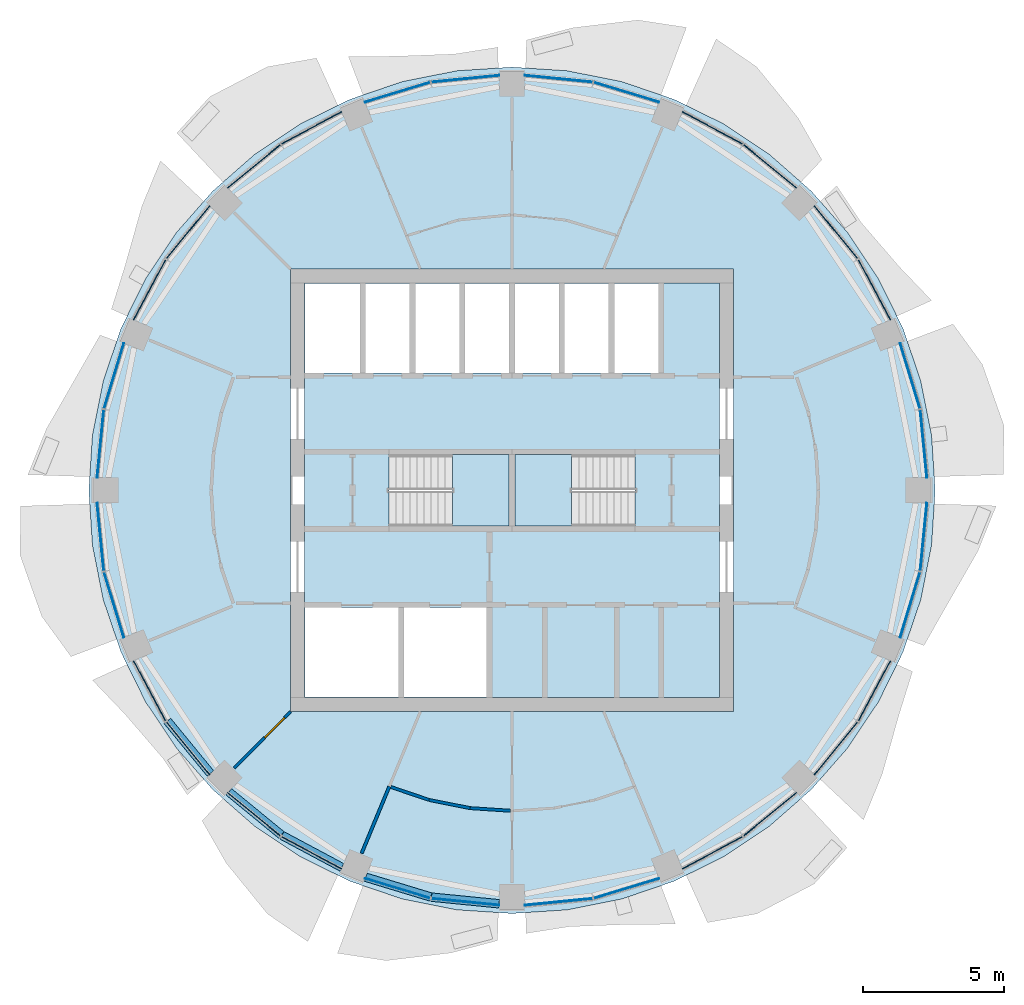
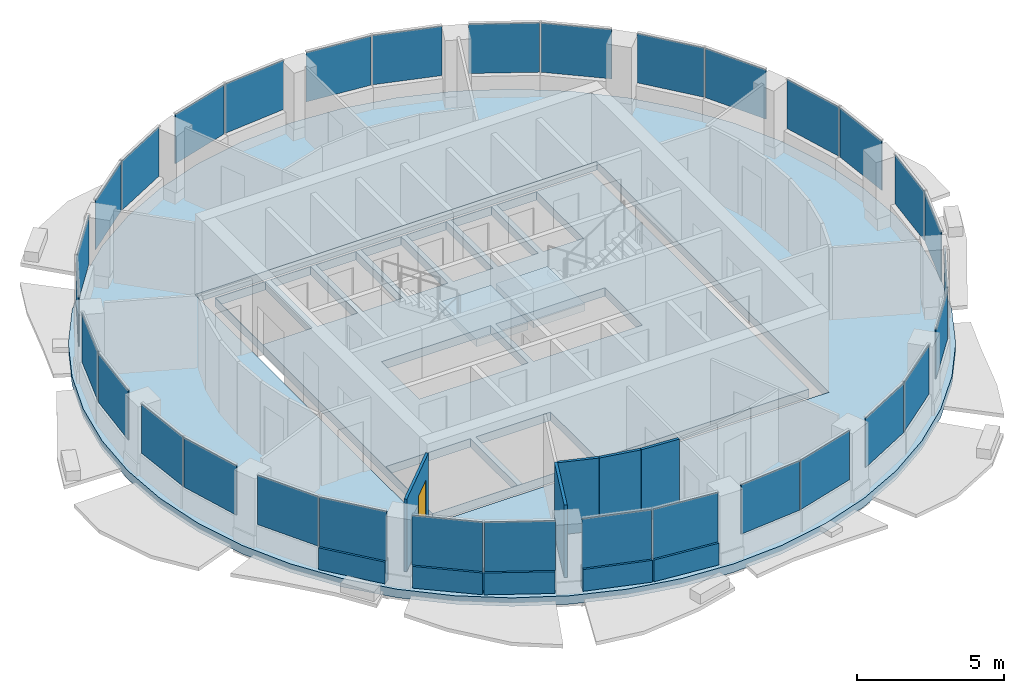
# One storey, part 6 of 14: 32 plates, 10 walls, 4 slabs, 1 door, 1 opening, 18 elements without a shape of their own.
"""IFC4 building model written with IfcOpenShell, lengths in metres."""

from ifc_helpers import new_model, si_unit, direction, frame, frame_2d, origin, origin_2d, place, context, subcontext, project, spatial, polyline, rectangle, outline, extrude, material, layer, layer_set, type_object, element, fill, aggregate, save


model = new_model("IFC4")

# Units and contexts
model_context = context("Model", 3, precision=1e-05, world=origin(), true_north=direction((0.0, 1.0)))
body_context = subcontext(model_context, "Body", "Model", "MODEL_VIEW")
ifc_project = project(units=[si_unit("LENGTHUNIT", "METRE"), si_unit("AREAUNIT", "SQUARE_METRE"), si_unit("VOLUMEUNIT", "CUBIC_METRE"), si_unit("PLANEANGLEUNIT", "RADIAN"), si_unit("MASSUNIT", "GRAM", prefix="KILO")], contexts=[model_context])

# Site, building, storey
site_placement = place(None, origin())
site = spatial("IfcSite", under=ifc_project, at=site_placement, CompositionType="ELEMENT")
building_placement = place(site_placement, origin())
building = spatial("IfcBuilding", under=site, at=building_placement, Name="Polderwave Tower", CompositionType="ELEMENT")
storey_placement = place(building_placement, frame((0.0, 0.0, 227.85009765625)))
storey = spatial("IfcBuildingStorey", under=building, at=storey_placement, Name="L62", CompositionType="ELEMENT", Elevation=227.85009765625)

# Slab
ifc_material_1 = material(Name="Concrete C40/50", Category="concrete")
ifc_layer_1 = layer(ifc_material_1, 0.35009765625)
ifc_layer_set_1 = layer_set([ifc_layer_1], Name="Core floor slab 350")
slab_type_1 = type_object("IfcSlabType", Name="Core floor slab 350", PredefinedType="FLOOR", material=ifc_layer_set_1)
slab_1_placement = place(storey_placement, frame((0.0, 0.0, -0.35009765625)))
element("IfcSlab", 1, at=slab_1_placement, inside=storey, type_object=slab_type_1, Name="L62 core floor", PredefinedType="FLOOR", context=body_context, shape_type="SweptSolid", body=[
    extrude(outline(polyline([(-7.3740234375, -7.3740234375), (7.3740234375, -7.3740234375), (7.3740234375, 7.3740234375), (-7.3740234375, 7.3740234375), (-7.3740234375, -7.3740234375)]), holes=[polyline([(-7.35400390625, -7.35400390625), (-4.037109375, -7.35400390625), (-4.037109375, -4.174072265625), (-7.35400390625, -4.174072265625), (-7.35400390625, -7.35400390625)]), polyline([(-3.8369140625, -7.35400390625), (-0.89990234375, -7.35400390625), (-0.89990234375, -4.174072265625), (-3.8369140625, -4.174072265625), (-3.8369140625, -7.35400390625)]), polyline([(-7.35400390625, 4.174072265625), (-5.405517578125, 4.174072265625), (-5.405517578125, 7.35400390625), (-7.35400390625, 7.35400390625), (-7.35400390625, 4.174072265625)]), polyline([(-5.20556640625, 4.174072265625), (-3.636962890625, 4.174072265625), (-3.636962890625, 7.35400390625), (-5.20556640625, 7.35400390625), (-5.20556640625, 4.174072265625)]), polyline([(-3.43701171875, 4.174072265625), (-1.868408203125, 4.174072265625), (-1.868408203125, 7.35400390625), (-3.43701171875, 7.35400390625), (-3.43701171875, 4.174072265625)]), polyline([(-1.66845703125, 4.174072265625), (-0.10009765625, 4.174072265625), (-0.10009765625, 7.35400390625), (-1.66845703125, 7.35400390625), (-1.66845703125, 4.174072265625)]), polyline([(0.10009765625, 4.174072265625), (1.66845703125, 4.174072265625), (1.66845703125, 7.35400390625), (0.10009765625, 7.35400390625), (0.10009765625, 4.174072265625)]), polyline([(1.868408203125, 4.174072265625), (3.43701171875, 4.174072265625), (3.43701171875, 7.35400390625), (1.868408203125, 7.35400390625), (1.868408203125, 4.174072265625)]), polyline([(3.636962890625, 4.174072265625), (5.20556640625, 4.174072265625), (5.20556640625, 7.35400390625), (3.636962890625, 7.35400390625), (3.636962890625, 4.174072265625)]), polyline([(-4.37353515625, -1.2744140625), (-0.1005859375, -1.2744140625), (-0.1005859375, 1.2744140625), (-4.37353515625, 1.2744140625), (-4.37353515625, -1.2744140625)]), polyline([(0.1005859375, -1.2744140625), (4.37353515625, -1.2744140625), (4.37353515625, 1.2744140625), (0.1005859375, 1.2744140625), (0.1005859375, -1.2744140625)])]), origin(), (0.0, 0.0, 1.0), 0.35009765625),
])

# Curtain wall, plates
ifc_material_2 = material(Name="Aluminium 6063-T6 and glass", Category="aluminium")
curtain_wall_type = type_object("IfcCurtainWallType", Name="Office ribbon glazing wall", PredefinedType="NOTDEFINED", material=ifc_material_2)
curtain_wall_1_placement = place(storey_placement, origin())
curtain_wall_1 = element("IfcCurtainWall", 2, at=curtain_wall_1_placement, inside=storey, type_object=curtain_wall_type, Name="CW3 L62 00", PredefinedType="NOTDEFINED")
ifc_material_3 = material(Name="Glass, low-e laminated double glazing", Category="glass")
ifc_layer_2 = layer(ifc_material_3, 0.031982421875)
ifc_layer_set_2 = layer_set([ifc_layer_2], Name="Office ribbon glazing glass panel 32 mm")
plate_type = type_object("IfcPlateType", Name="Office ribbon glazing glass panel 32 mm", PredefinedType="CURTAIN_PANEL", material=ifc_layer_set_2)
plate_1_placement = place(storey_placement, frame((14.63720703125, 1.65478515625, 0.89990234375), z_axis=(0.0, 0.0, 1.0), x_axis=(-0.098008455701, 0.995185581995, 0.0)))
plate_1 = element("IfcPlate", 3, at=plate_1_placement, type_object=plate_type, Name="CW3 panel 1", PredefinedType="CURTAIN_PANEL", context=body_context, shape_type="SweptSolid", body=[
    extrude(rectangle(XDim=2.42138671875, YDim=0.031982421875, at=origin_2d()), origin(), (0.0, 0.0, 1.0), 2.0400390625),
])
plate_2_placement = place(storey_placement, frame((14.156494140625, 4.072265625, 0.89990234375), z_axis=(0.0, 0.0, 1.0), x_axis=(-0.290267975451, 0.95694540201, 0.0)))
plate_2 = element("IfcPlate", 4, at=plate_2_placement, type_object=plate_type, Name="CW3 panel 2", PredefinedType="CURTAIN_PANEL", context=body_context, shape_type="SweptSolid", body=[
    extrude(rectangle(XDim=2.422119140625, YDim=0.031982421875, at=origin_2d()), origin(), (0.0, 0.0, 1.0), 2.0400390625),
])
aggregate(curtain_wall_1, [plate_1, plate_2])

curtain_wall_2_placement = place(storey_placement, origin())
curtain_wall_2 = element("IfcCurtainWall", 5, at=curtain_wall_2_placement, inside=storey, type_object=curtain_wall_type, Name="CW3 L62 01", PredefinedType="NOTDEFINED")
plate_3_placement = place(storey_placement, frame((12.889404296875, 7.13037109375, 0.89990234375), z_axis=(0.0, 0.0, 1.0), x_axis=(-0.471393658337, 0.881922909828, 0.0)))
plate_3 = element("IfcPlate", 6, at=plate_3_placement, type_object=plate_type, Name="CW3 panel 1", PredefinedType="CURTAIN_PANEL", context=body_context, shape_type="SweptSolid", body=[
    extrude(rectangle(XDim=2.420654296875, YDim=0.031982421875, at=origin_2d()), origin(), (0.0, 0.0, 1.0), 2.0400390625),
])
plate_4_placement = place(storey_placement, frame((11.520263671875, 9.1796875, 0.89990234375), z_axis=(0.0, 0.0, 1.0), x_axis=(-0.634304235543, 0.773083525094, 0.0)))
plate_4 = element("IfcPlate", 7, at=plate_4_placement, type_object=plate_type, Name="CW3 panel 2", PredefinedType="CURTAIN_PANEL", context=body_context, shape_type="SweptSolid", body=[
    extrude(rectangle(XDim=2.42236328125, YDim=0.031982421875, at=origin_2d()), origin(), (0.0, 0.0, 1.0), 2.0400390625),
])
aggregate(curtain_wall_2, [plate_3, plate_4])

curtain_wall_3_placement = place(storey_placement, origin())
curtain_wall_3 = element("IfcCurtainWall", 8, at=curtain_wall_3_placement, inside=storey, type_object=curtain_wall_type, Name="CW3 L62 02", PredefinedType="NOTDEFINED")
plate_5_placement = place(storey_placement, frame((9.1796875, 11.520263671875, 0.89990234375), z_axis=(0.0, 0.0, 1.0), x_axis=(-0.773083525094, 0.634304235543, 0.0)))
plate_5 = element("IfcPlate", 9, at=plate_5_placement, type_object=plate_type, Name="CW3 panel 1", PredefinedType="CURTAIN_PANEL", context=body_context, shape_type="SweptSolid", body=[
    extrude(rectangle(XDim=2.42236328125, YDim=0.031982421875, at=origin_2d()), origin(), (0.0, 0.0, 1.0), 2.0400390625),
])
plate_6_placement = place(storey_placement, frame((7.13037109375, 12.889404296875, 0.89990234375), z_axis=(0.0, 0.0, 1.0), x_axis=(-0.881922909828, 0.471393658337, 0.0)))
plate_6 = element("IfcPlate", 10, at=plate_6_placement, type_object=plate_type, Name="CW3 panel 2", PredefinedType="CURTAIN_PANEL", context=body_context, shape_type="SweptSolid", body=[
    extrude(rectangle(XDim=2.420654296875, YDim=0.031982421875, at=origin_2d()), origin(), (0.0, 0.0, 1.0), 2.0400390625),
])
aggregate(curtain_wall_3, [plate_5, plate_6])

curtain_wall_4_placement = place(storey_placement, origin())
curtain_wall_4 = element("IfcCurtainWall", 11, at=curtain_wall_4_placement, inside=storey, type_object=curtain_wall_type, Name="CW3 L62 03", PredefinedType="NOTDEFINED")
plate_7_placement = place(storey_placement, frame((4.072265625, 14.156494140625, 0.89990234375), z_axis=(0.0, 0.0, 1.0), x_axis=(-0.95694540201, 0.290267975451, 0.0)))
plate_7 = element("IfcPlate", 12, at=plate_7_placement, type_object=plate_type, Name="CW3 panel 1", PredefinedType="CURTAIN_PANEL", context=body_context, shape_type="SweptSolid", body=[
    extrude(rectangle(XDim=2.422119140625, YDim=0.031982421875, at=origin_2d()), origin(), (0.0, 0.0, 1.0), 2.0400390625),
])
plate_8_placement = place(storey_placement, frame((1.65478515625, 14.63720703125, 0.89990234375), z_axis=(0.0, 0.0, 1.0), x_axis=(-0.995185581995, 0.098008455701, 0.0)))
plate_8 = element("IfcPlate", 13, at=plate_8_placement, type_object=plate_type, Name="CW3 panel 2", PredefinedType="CURTAIN_PANEL", context=body_context, shape_type="SweptSolid", body=[
    extrude(rectangle(XDim=2.42138671875, YDim=0.031982421875, at=origin_2d()), origin(), (0.0, 0.0, 1.0), 2.0400390625),
])
aggregate(curtain_wall_4, [plate_7, plate_8])

curtain_wall_5_placement = place(storey_placement, origin())
curtain_wall_5 = element("IfcCurtainWall", 14, at=curtain_wall_5_placement, inside=storey, type_object=curtain_wall_type, Name="CW3 L62 04", PredefinedType="NOTDEFINED")
plate_9_placement = place(storey_placement, frame((-1.65478515625, 14.63720703125, 0.89990234375), z_axis=(0.0, 0.0, 1.0), x_axis=(-0.995185581995, -0.098008455701, 0.0)))
plate_9 = element("IfcPlate", 15, at=plate_9_placement, type_object=plate_type, Name="CW3 panel 1", PredefinedType="CURTAIN_PANEL", context=body_context, shape_type="SweptSolid", body=[
    extrude(rectangle(XDim=2.42138671875, YDim=0.031982421875, at=origin_2d()), origin(), (0.0, 0.0, 1.0), 2.0400390625),
])
plate_10_placement = place(storey_placement, frame((-4.072265625, 14.156494140625, 0.89990234375), z_axis=(0.0, 0.0, 1.0), x_axis=(-0.95694540201, -0.290267975451, 0.0)))
plate_10 = element("IfcPlate", 16, at=plate_10_placement, type_object=plate_type, Name="CW3 panel 2", PredefinedType="CURTAIN_PANEL", context=body_context, shape_type="SweptSolid", body=[
    extrude(rectangle(XDim=2.422119140625, YDim=0.031982421875, at=origin_2d()), origin(), (0.0, 0.0, 1.0), 2.0400390625),
])
aggregate(curtain_wall_5, [plate_9, plate_10])

curtain_wall_6_placement = place(storey_placement, origin())
curtain_wall_6 = element("IfcCurtainWall", 17, at=curtain_wall_6_placement, inside=storey, type_object=curtain_wall_type, Name="CW3 L62 05", PredefinedType="NOTDEFINED")
plate_11_placement = place(storey_placement, frame((-7.13037109375, 12.889404296875, 0.89990234375), z_axis=(0.0, 0.0, 1.0), x_axis=(-0.881922909828, -0.471393658337, 0.0)))
plate_11 = element("IfcPlate", 18, at=plate_11_placement, type_object=plate_type, Name="CW3 panel 1", PredefinedType="CURTAIN_PANEL", context=body_context, shape_type="SweptSolid", body=[
    extrude(rectangle(XDim=2.420654296875, YDim=0.031982421875, at=origin_2d()), origin(), (0.0, 0.0, 1.0), 2.0400390625),
])
plate_12_placement = place(storey_placement, frame((-9.1796875, 11.520263671875, 0.89990234375), z_axis=(0.0, 0.0, 1.0), x_axis=(-0.773083525094, -0.634304235543, 0.0)))
plate_12 = element("IfcPlate", 19, at=plate_12_placement, type_object=plate_type, Name="CW3 panel 2", PredefinedType="CURTAIN_PANEL", context=body_context, shape_type="SweptSolid", body=[
    extrude(rectangle(XDim=2.42236328125, YDim=0.031982421875, at=origin_2d()), origin(), (0.0, 0.0, 1.0), 2.0400390625),
])
aggregate(curtain_wall_6, [plate_11, plate_12])

curtain_wall_7_placement = place(storey_placement, origin())
curtain_wall_7 = element("IfcCurtainWall", 20, at=curtain_wall_7_placement, inside=storey, type_object=curtain_wall_type, Name="CW3 L62 06", PredefinedType="NOTDEFINED")
plate_13_placement = place(storey_placement, frame((-11.520263671875, 9.1796875, 0.89990234375), z_axis=(0.0, 0.0, 1.0), x_axis=(-0.634304235543, -0.773083525094, 0.0)))
plate_13 = element("IfcPlate", 21, at=plate_13_placement, type_object=plate_type, Name="CW3 panel 1", PredefinedType="CURTAIN_PANEL", context=body_context, shape_type="SweptSolid", body=[
    extrude(rectangle(XDim=2.42236328125, YDim=0.031982421875, at=origin_2d()), origin(), (0.0, 0.0, 1.0), 2.0400390625),
])
plate_14_placement = place(storey_placement, frame((-12.889404296875, 7.13037109375, 0.89990234375), z_axis=(0.0, 0.0, 1.0), x_axis=(-0.471393658337, -0.881922909828, 0.0)))
plate_14 = element("IfcPlate", 22, at=plate_14_placement, type_object=plate_type, Name="CW3 panel 2", PredefinedType="CURTAIN_PANEL", context=body_context, shape_type="SweptSolid", body=[
    extrude(rectangle(XDim=2.420654296875, YDim=0.031982421875, at=origin_2d()), origin(), (0.0, 0.0, 1.0), 2.0400390625),
])
aggregate(curtain_wall_7, [plate_13, plate_14])

curtain_wall_8_placement = place(storey_placement, origin())
curtain_wall_8 = element("IfcCurtainWall", 23, at=curtain_wall_8_placement, inside=storey, type_object=curtain_wall_type, Name="CW3 L62 07", PredefinedType="NOTDEFINED")
plate_15_placement = place(storey_placement, frame((-14.156494140625, 4.072265625, 0.89990234375), z_axis=(0.0, 0.0, 1.0), x_axis=(-0.290267975451, -0.95694540201, 0.0)))
plate_15 = element("IfcPlate", 24, at=plate_15_placement, type_object=plate_type, Name="CW3 panel 1", PredefinedType="CURTAIN_PANEL", context=body_context, shape_type="SweptSolid", body=[
    extrude(rectangle(XDim=2.422119140625, YDim=0.031982421875, at=origin_2d()), origin(), (0.0, 0.0, 1.0), 2.0400390625),
])
plate_16_placement = place(storey_placement, frame((-14.63720703125, 1.65478515625, 0.89990234375), z_axis=(0.0, 0.0, 1.0), x_axis=(-0.098008455701, -0.995185581995, 0.0)))
plate_16 = element("IfcPlate", 25, at=plate_16_placement, type_object=plate_type, Name="CW3 panel 2", PredefinedType="CURTAIN_PANEL", context=body_context, shape_type="SweptSolid", body=[
    extrude(rectangle(XDim=2.42138671875, YDim=0.031982421875, at=origin_2d()), origin(), (0.0, 0.0, 1.0), 2.0400390625),
])
aggregate(curtain_wall_8, [plate_15, plate_16])

curtain_wall_9_placement = place(storey_placement, origin())
curtain_wall_9 = element("IfcCurtainWall", 26, at=curtain_wall_9_placement, inside=storey, type_object=curtain_wall_type, Name="CW3 L62 08", PredefinedType="NOTDEFINED")
plate_17_placement = place(storey_placement, frame((-14.63720703125, -1.65478515625, 0.89990234375), z_axis=(0.0, 0.0, 1.0), x_axis=(0.098008455701, -0.995185581995, 0.0)))
plate_17 = element("IfcPlate", 27, at=plate_17_placement, type_object=plate_type, Name="CW3 panel 1", PredefinedType="CURTAIN_PANEL", context=body_context, shape_type="SweptSolid", body=[
    extrude(rectangle(XDim=2.42138671875, YDim=0.031982421875, at=origin_2d()), origin(), (0.0, 0.0, 1.0), 2.0400390625),
])
plate_18_placement = place(storey_placement, frame((-14.156494140625, -4.072265625, 0.89990234375), z_axis=(0.0, 0.0, 1.0), x_axis=(0.290267975451, -0.95694540201, 0.0)))
plate_18 = element("IfcPlate", 28, at=plate_18_placement, type_object=plate_type, Name="CW3 panel 2", PredefinedType="CURTAIN_PANEL", context=body_context, shape_type="SweptSolid", body=[
    extrude(rectangle(XDim=2.422119140625, YDim=0.031982421875, at=origin_2d()), origin(), (0.0, 0.0, 1.0), 2.0400390625),
])
aggregate(curtain_wall_9, [plate_17, plate_18])

curtain_wall_10_placement = place(storey_placement, origin())
curtain_wall_10 = element("IfcCurtainWall", 29, at=curtain_wall_10_placement, inside=storey, type_object=curtain_wall_type, Name="CW3 L62 09", PredefinedType="NOTDEFINED")
plate_19_placement = place(storey_placement, frame((-12.889404296875, -7.13037109375, 0.89990234375), z_axis=(0.0, 0.0, 1.0), x_axis=(0.471393658337, -0.881922909828, 0.0)))
plate_19 = element("IfcPlate", 30, at=plate_19_placement, type_object=plate_type, Name="CW3 panel 1", PredefinedType="CURTAIN_PANEL", context=body_context, shape_type="SweptSolid", body=[
    extrude(rectangle(XDim=2.420654296875, YDim=0.031982421875, at=origin_2d()), origin(), (0.0, 0.0, 1.0), 2.0400390625),
])
plate_20_placement = place(storey_placement, frame((-11.520263671875, -9.1796875, 0.89990234375), z_axis=(0.0, 0.0, 1.0), x_axis=(0.634304235543, -0.773083525094, 0.0)))
plate_20 = element("IfcPlate", 31, at=plate_20_placement, type_object=plate_type, Name="CW3 panel 2", PredefinedType="CURTAIN_PANEL", context=body_context, shape_type="SweptSolid", body=[
    extrude(rectangle(XDim=2.42236328125, YDim=0.031982421875, at=origin_2d()), origin(), (0.0, 0.0, 1.0), 2.0400390625),
])
aggregate(curtain_wall_10, [plate_19, plate_20])

curtain_wall_11_placement = place(storey_placement, origin())
curtain_wall_11 = element("IfcCurtainWall", 32, at=curtain_wall_11_placement, inside=storey, type_object=curtain_wall_type, Name="CW3 L62 10", PredefinedType="NOTDEFINED")
plate_21_placement = place(storey_placement, frame((-9.1796875, -11.520263671875, 0.89990234375), z_axis=(0.0, 0.0, 1.0), x_axis=(0.773083525094, -0.634304235543, 0.0)))
plate_21 = element("IfcPlate", 33, at=plate_21_placement, type_object=plate_type, Name="CW3 panel 1", PredefinedType="CURTAIN_PANEL", context=body_context, shape_type="SweptSolid", body=[
    extrude(rectangle(XDim=2.42236328125, YDim=0.031982421875, at=origin_2d()), origin(), (0.0, 0.0, 1.0), 2.0400390625),
])
plate_22_placement = place(storey_placement, frame((-7.13037109375, -12.889404296875, 0.89990234375), z_axis=(0.0, 0.0, 1.0), x_axis=(0.881922909828, -0.471393658337, 0.0)))
plate_22 = element("IfcPlate", 34, at=plate_22_placement, type_object=plate_type, Name="CW3 panel 2", PredefinedType="CURTAIN_PANEL", context=body_context, shape_type="SweptSolid", body=[
    extrude(rectangle(XDim=2.420654296875, YDim=0.031982421875, at=origin_2d()), origin(), (0.0, 0.0, 1.0), 2.0400390625),
])
aggregate(curtain_wall_11, [plate_21, plate_22])

curtain_wall_12_placement = place(storey_placement, origin())
curtain_wall_12 = element("IfcCurtainWall", 35, at=curtain_wall_12_placement, inside=storey, type_object=curtain_wall_type, Name="CW3 L62 11", PredefinedType="NOTDEFINED")
plate_23_placement = place(storey_placement, frame((-4.072265625, -14.156494140625, 0.89990234375), z_axis=(0.0, 0.0, 1.0), x_axis=(0.95694540201, -0.290267975451, 0.0)))
plate_23 = element("IfcPlate", 36, at=plate_23_placement, type_object=plate_type, Name="CW3 panel 1", PredefinedType="CURTAIN_PANEL", context=body_context, shape_type="SweptSolid", body=[
    extrude(rectangle(XDim=2.422119140625, YDim=0.031982421875, at=origin_2d()), origin(), (0.0, 0.0, 1.0), 2.0400390625),
])
plate_24_placement = place(storey_placement, frame((-1.65478515625, -14.63720703125, 0.89990234375), z_axis=(0.0, 0.0, 1.0), x_axis=(0.995185581995, -0.098008455701, 0.0)))
plate_24 = element("IfcPlate", 37, at=plate_24_placement, type_object=plate_type, Name="CW3 panel 2", PredefinedType="CURTAIN_PANEL", context=body_context, shape_type="SweptSolid", body=[
    extrude(rectangle(XDim=2.42138671875, YDim=0.031982421875, at=origin_2d()), origin(), (0.0, 0.0, 1.0), 2.0400390625),
])
aggregate(curtain_wall_12, [plate_23, plate_24])

curtain_wall_13_placement = place(storey_placement, origin())
curtain_wall_13 = element("IfcCurtainWall", 38, at=curtain_wall_13_placement, inside=storey, type_object=curtain_wall_type, Name="CW3 L62 12", PredefinedType="NOTDEFINED")
plate_25_placement = place(storey_placement, frame((1.65478515625, -14.63720703125, 0.89990234375), z_axis=(0.0, 0.0, 1.0), x_axis=(0.995185581995, 0.098008455701, 0.0)))
plate_25 = element("IfcPlate", 39, at=plate_25_placement, type_object=plate_type, Name="CW3 panel 1", PredefinedType="CURTAIN_PANEL", context=body_context, shape_type="SweptSolid", body=[
    extrude(rectangle(XDim=2.42138671875, YDim=0.031982421875, at=origin_2d()), origin(), (0.0, 0.0, 1.0), 2.0400390625),
])
plate_26_placement = place(storey_placement, frame((4.072265625, -14.156494140625, 0.89990234375), z_axis=(0.0, 0.0, 1.0), x_axis=(0.95694540201, 0.290267975451, 0.0)))
plate_26 = element("IfcPlate", 40, at=plate_26_placement, type_object=plate_type, Name="CW3 panel 2", PredefinedType="CURTAIN_PANEL", context=body_context, shape_type="SweptSolid", body=[
    extrude(rectangle(XDim=2.422119140625, YDim=0.031982421875, at=origin_2d()), origin(), (0.0, 0.0, 1.0), 2.0400390625),
])
aggregate(curtain_wall_13, [plate_25, plate_26])

curtain_wall_14_placement = place(storey_placement, origin())
curtain_wall_14 = element("IfcCurtainWall", 41, at=curtain_wall_14_placement, inside=storey, type_object=curtain_wall_type, Name="CW3 L62 13", PredefinedType="NOTDEFINED")
plate_27_placement = place(storey_placement, frame((7.13037109375, -12.889404296875, 0.89990234375), z_axis=(0.0, 0.0, 1.0), x_axis=(0.881922909828, 0.471393658337, 0.0)))
plate_27 = element("IfcPlate", 42, at=plate_27_placement, type_object=plate_type, Name="CW3 panel 1", PredefinedType="CURTAIN_PANEL", context=body_context, shape_type="SweptSolid", body=[
    extrude(rectangle(XDim=2.420654296875, YDim=0.031982421875, at=origin_2d()), origin(), (0.0, 0.0, 1.0), 2.0400390625),
])
plate_28_placement = place(storey_placement, frame((9.1796875, -11.520263671875, 0.89990234375), z_axis=(0.0, 0.0, 1.0), x_axis=(0.773083525094, 0.634304235543, 0.0)))
plate_28 = element("IfcPlate", 43, at=plate_28_placement, type_object=plate_type, Name="CW3 panel 2", PredefinedType="CURTAIN_PANEL", context=body_context, shape_type="SweptSolid", body=[
    extrude(rectangle(XDim=2.42236328125, YDim=0.031982421875, at=origin_2d()), origin(), (0.0, 0.0, 1.0), 2.0400390625),
])
aggregate(curtain_wall_14, [plate_27, plate_28])

curtain_wall_15_placement = place(storey_placement, origin())
curtain_wall_15 = element("IfcCurtainWall", 44, at=curtain_wall_15_placement, inside=storey, type_object=curtain_wall_type, Name="CW3 L62 14", PredefinedType="NOTDEFINED")
plate_29_placement = place(storey_placement, frame((11.520263671875, -9.1796875, 0.89990234375), z_axis=(0.0, 0.0, 1.0), x_axis=(0.634304235543, 0.773083525094, 0.0)))
plate_29 = element("IfcPlate", 45, at=plate_29_placement, type_object=plate_type, Name="CW3 panel 1", PredefinedType="CURTAIN_PANEL", context=body_context, shape_type="SweptSolid", body=[
    extrude(rectangle(XDim=2.42236328125, YDim=0.031982421875, at=origin_2d()), origin(), (0.0, 0.0, 1.0), 2.0400390625),
])
plate_30_placement = place(storey_placement, frame((12.889404296875, -7.13037109375, 0.89990234375), z_axis=(0.0, 0.0, 1.0), x_axis=(0.471393658337, 0.881922909828, 0.0)))
plate_30 = element("IfcPlate", 46, at=plate_30_placement, type_object=plate_type, Name="CW3 panel 2", PredefinedType="CURTAIN_PANEL", context=body_context, shape_type="SweptSolid", body=[
    extrude(rectangle(XDim=2.420654296875, YDim=0.031982421875, at=origin_2d()), origin(), (0.0, 0.0, 1.0), 2.0400390625),
])
aggregate(curtain_wall_15, [plate_29, plate_30])

curtain_wall_16_placement = place(storey_placement, origin())
curtain_wall_16 = element("IfcCurtainWall", 47, at=curtain_wall_16_placement, inside=storey, type_object=curtain_wall_type, Name="CW3 L62 15", PredefinedType="NOTDEFINED")
plate_31_placement = place(storey_placement, frame((14.156494140625, -4.072265625, 0.89990234375), z_axis=(0.0, 0.0, 1.0), x_axis=(0.290267975451, 0.95694540201, 0.0)))
plate_31 = element("IfcPlate", 48, at=plate_31_placement, type_object=plate_type, Name="CW3 panel 1", PredefinedType="CURTAIN_PANEL", context=body_context, shape_type="SweptSolid", body=[
    extrude(rectangle(XDim=2.422119140625, YDim=0.031982421875, at=origin_2d()), origin(), (0.0, 0.0, 1.0), 2.0400390625),
])
plate_32_placement = place(storey_placement, frame((14.63720703125, -1.65478515625, 0.89990234375), z_axis=(0.0, 0.0, 1.0), x_axis=(0.098008455701, 0.995185581995, 0.0)))
plate_32 = element("IfcPlate", 49, at=plate_32_placement, type_object=plate_type, Name="CW3 panel 2", PredefinedType="CURTAIN_PANEL", context=body_context, shape_type="SweptSolid", body=[
    extrude(rectangle(XDim=2.42138671875, YDim=0.031982421875, at=origin_2d()), origin(), (0.0, 0.0, 1.0), 2.0400390625),
])
aggregate(curtain_wall_16, [plate_31, plate_32])

# Slab
ifc_layer_3 = layer(ifc_material_1, 0.35009765625)
ifc_layer_set_3 = layer_set([ifc_layer_3], Name="PT FLOOR SLAB 350 C40/50")
slab_type_2 = type_object("IfcSlabType", Name="PT FLOOR SLAB 350 C40/50", PredefinedType="FLOOR", material=ifc_layer_set_3)
slab_2_placement = place(storey_placement, frame((0.0, 0.0, -0.35009765625)))
element("IfcSlab", 50, at=slab_2_placement, inside=storey, type_object=slab_type_2, Name="ST-SLAB-L62", PredefinedType="FLOOR", context=body_context, shape_type="SweptSolid", body=[
    extrude(outline(polyline([(15.050048828125, 0.0), (14.921142578125, 1.96435546875), (14.537109375, 3.895263671875), (13.904296875, 5.759521484375), (13.03369140625, 7.52490234375), (11.93994140625, 9.161865234375), (10.64208984375, 10.64208984375), (9.161865234375, 11.93994140625), (7.52490234375, 13.03369140625), (5.759521484375, 13.904296875), (3.895263671875, 14.537109375), (1.96435546875, 14.921142578125), (0.0, 15.050048828125), (-1.96435546875, 14.921142578125), (-3.895263671875, 14.537109375), (-5.759521484375, 13.904296875), (-7.52490234375, 13.03369140625), (-9.161865234375, 11.93994140625), (-10.64208984375, 10.64208984375), (-11.93994140625, 9.161865234375), (-13.03369140625, 7.52490234375), (-13.904296875, 5.759521484375), (-14.537109375, 3.895263671875), (-14.921142578125, 1.96435546875), (-15.050048828125, 0.0), (-14.921142578125, -1.96435546875), (-14.537109375, -3.895263671875), (-13.904296875, -5.759521484375), (-13.03369140625, -7.52490234375), (-11.93994140625, -9.161865234375), (-10.64208984375, -10.64208984375), (-9.161865234375, -11.93994140625), (-7.52490234375, -13.03369140625), (-5.759521484375, -13.904296875), (-3.895263671875, -14.537109375), (-1.96435546875, -14.921142578125), (0.0, -15.050048828125), (1.96435546875, -14.921142578125), (3.895263671875, -14.537109375), (5.759521484375, -13.904296875), (7.52490234375, -13.03369140625), (9.161865234375, -11.93994140625), (10.64208984375, -10.64208984375), (11.93994140625, -9.161865234375), (13.03369140625, -7.52490234375), (13.904296875, -5.759521484375), (14.537109375, -3.895263671875), (14.921142578125, -1.96435546875), (15.050048828125, 0.0)]), holes=[polyline([(-7.8740234375, -7.8740234375), (7.8740234375, -7.8740234375), (7.8740234375, 7.8740234375), (-7.8740234375, 7.8740234375), (-7.8740234375, -7.8740234375)])]), origin(), (0.0, 0.0, 1.0), 0.35009765625),
])

# Stair, slab
stair_type = type_object("IfcStairType", Name="Exit stair 1200 x 20 risers", PredefinedType="HALF_TURN_STAIR", material=ifc_material_1)
stair_1_placement = place(storey_placement, origin())
stair_1 = element("IfcStair", 51, at=stair_1_placement, inside=storey, type_object=stair_type, Name="L62 Exit stair A", PredefinedType="HALF_TURN_STAIR")
ifc_layer_4 = layer(ifc_material_1, 0.300048828125)
ifc_layer_set_4 = layer_set([ifc_layer_4], Name="Stair landing 300")
slab_type_3 = type_object("IfcSlabType", Name="Stair landing 300", PredefinedType="LANDING", material=ifc_layer_set_4)
slab_3_placement = place(storey_placement, frame((0.0, 0.0, 1.375)))
slab_3 = element("IfcSlab", 52, at=slab_3_placement, type_object=slab_type_3, Name="ST-A landing 1", PredefinedType="LANDING", context=body_context, shape_type="SweptSolid", body=[
    extrude(outline(polyline([(-2.1240234375, -1.27490234375), (-0.10009765625, -1.27490234375), (-0.10009765625, 1.27490234375), (-2.1240234375, 1.27490234375), (-2.1240234375, -1.27490234375)])), origin(), (0.0, 0.0, 1.0), 0.2998046875),
])
aggregate(stair_1, [slab_3])

stair_2_placement = place(storey_placement, origin())
stair_2 = element("IfcStair", 53, at=stair_2_placement, inside=storey, type_object=stair_type, Name="L62 Exit stair B", PredefinedType="HALF_TURN_STAIR")
slab_4_placement = place(storey_placement, frame((0.0, 0.0, 1.375)))
slab_4 = element("IfcSlab", 54, at=slab_4_placement, type_object=slab_type_3, Name="ST-B landing 1", PredefinedType="LANDING", context=body_context, shape_type="SweptSolid", body=[
    extrude(outline(polyline([(2.1240234375, 1.27490234375), (0.10009765625, 1.27490234375), (0.10009765625, -1.27490234375), (2.1240234375, -1.27490234375), (2.1240234375, 1.27490234375)])), origin(), (0.0, 0.0, 1.0), 0.2998046875),
])
aggregate(stair_2, [slab_4])

# Walls
ifc_material_4 = material(Name="Concrete C50/60 (board-marked)", Category="concrete")
ifc_layer_5 = layer(ifc_material_4, 0.300048828125)
ifc_layer_set_5 = layer_set([ifc_layer_5], Name="Concrete spandrel upstand C50/60")
wall_type_1 = type_object("IfcWallType", Name="Concrete spandrel upstand C50/60", PredefinedType="SOLIDWALL", material=ifc_layer_set_5)
for number, where, z_axis, x_axis, name in (
    (55, (-12.25439453125, -8.20556640625, 0.0), (0.0, 0.0, 1.0), (0.634009359187, -0.773325372959, 0.0), "Spandrel L62 10b"),
    (56, (-10.0703125, -10.7255859375, 0.0), (0.0, 0.0, 1.0), (0.773325372959, -0.634009359187, 0.0), "Spandrel L62 11a"),
):
    element("IfcWall", number, at=place(storey_placement, frame(where, z_axis=z_axis, x_axis=x_axis)), inside=storey, type_object=wall_type_1, Name=name, PredefinedType="SOLIDWALL", context=body_context, shape_type="SweptSolid", body=[
        extrude(rectangle(XDim=2.411376953125, YDim=0.300048828125, at=frame_2d((1.20556640625, 0.0))), origin(), (0.0, 0.0, 1.0), 0.89990234375),
    ])
wall_1_placement = place(storey_placement, frame((-8.180908203125, -12.27099609375, 0.0), z_axis=(0.0, 0.0, 1.0), x_axis=(0.881962886229, -0.471318859495, 0.0)))
element("IfcWall", 57, at=wall_1_placement, inside=storey, type_object=wall_type_1, Name="Spandrel L62 11b", PredefinedType="SOLIDWALL", context=body_context, shape_type="SweptSolid", body=[
    extrude(rectangle(XDim=2.41015625, YDim=0.300048828125, at=frame_2d((1.205078125, 0.0))), origin(), (0.0, 0.0, 1.0), 0.89990234375),
])
wall_2_placement = place(storey_placement, frame((-5.198486328125, -13.762451171875, 0.0), z_axis=(0.0, 0.0, 1.0), x_axis=(0.956901683383, -0.290412066449, 0.0)))
element("IfcWall", 58, at=wall_2_placement, inside=storey, type_object=wall_type_1, Name="Spandrel L62 12a", PredefinedType="SOLIDWALL", context=body_context, shape_type="SweptSolid", body=[
    extrude(rectangle(XDim=2.4111328125, YDim=0.300048828125, at=frame_2d((1.20556640625, 0.0))), origin(), (0.0, 0.0, 1.0), 0.89990234375),
])
wall_3_placement = place(storey_placement, frame((-2.862060546875, -14.468505859375, 0.0), z_axis=(0.0, 0.0, 1.0), x_axis=(0.99519336672, -0.09792937678, 0.0)))
element("IfcWall", 59, at=wall_3_placement, inside=storey, type_object=wall_type_1, Name="Spandrel L62 12b", PredefinedType="SOLIDWALL", context=body_context, shape_type="SweptSolid", body=[
    extrude(rectangle(XDim=2.41064453125, YDim=0.300048828125, at=frame_2d((1.205322265625, 0.0))), origin(), (0.0, 0.0, 1.0), 0.89990234375),
])

# Wall, opening, door
ifc_material_5 = material(Name="Plasterboard on steel studs", Category="steel")
ifc_layer_6 = layer(ifc_material_5, 0.10009765625)
ifc_layer_set_6 = layer_set([ifc_layer_6], Name="Partition 100 mm plasterboard on steel studs")
wall_type_2 = type_object("IfcWallType", Name="Partition 100 mm plasterboard on steel studs", PredefinedType="PARTITIONING", material=ifc_layer_set_6)
wall_4_placement = place(storey_placement, frame((-7.8740234375, -7.8740234375, 0.0), z_axis=(0.0, 0.0, 1.0), x_axis=(-0.707106781187, -0.707106781187, 0.0)))
wall_4 = element("IfcWall", 60, at=wall_4_placement, inside=storey, type_object=wall_type_2, Name="IN-L62-W033", PredefinedType="PARTITIONING", context=body_context, shape_type="SweptSolid", body=[
    extrude(rectangle(XDim=2.834716796875, YDim=0.10009765625, at=frame_2d((1.41748046875, 0.0))), origin(), (0.0, 0.0, 1.0), 3.0),
])
opening_placement = place(wall_4_placement, frame((0.300048828125, 0.0, 0.0)))
opening = element("IfcOpeningElement", 61, at=opening_placement, cuts=wall_4, Name="Opening L62-D61", PredefinedType="OPENING", context=body_context, shape_type="SweptSolid", body=[
    extrude(rectangle(XDim=1.0, YDim=2.10009765625, at=frame_2d((0.5, 1.050048828125))), frame((0.0, 0.06005859375, 0.0), z_axis=(0.0, -1.0, 0.0), x_axis=(1.0, 0.0, 0.0)), (0.0, 0.0, 1.0), 0.1201171875),
])
ifc_material_6 = material(Name="Timber veneer door leaf", Category="wood")
door_type = type_object("IfcDoorType", Name="Single door 1000 x 2100", OperationType="NOTDEFINED", PredefinedType="DOOR", material=ifc_material_6)
door_placement = place(opening_placement, origin())
door = element("IfcDoor", 62, at=door_placement, inside=storey, type_object=door_type, Name="Door L62-D61", OperationType="SINGLE_SWING_LEFT", OverallHeight=2.10009765625, OverallWidth=1.0, PredefinedType="DOOR", context=body_context, shape_type="SweptSolid", body=[
    extrude(rectangle(XDim=1.0, YDim=2.10009765625, at=frame_2d((0.5, 1.050048828125))), frame((0.0, 0.02490234375, 0.0), z_axis=(0.0, -1.0, 0.0), x_axis=(1.0, 0.0, 0.0)), (0.0, 0.0, 1.0), 0.050048828125),
])
fill(opening, door)

# Walls
ifc_material_7 = material(Name="Moisture-resistant board on steel studs, tiled", Category="steel")
ifc_layer_7 = layer(ifc_material_7, 0.10498046875)
ifc_layer_set_7 = layer_set([ifc_layer_7], Name="Partition 105 mm wet room board and tile")
wall_type_3 = type_object("IfcWallType", Name="Partition 105 mm wet room board and tile", PredefinedType="PARTITIONING", material=ifc_layer_set_7)
wall_5_placement = place(storey_placement, frame((-2.953857421875, -11.010498046875, 0.0), z_axis=(0.0, 0.0, 1.0), x_axis=(-0.946909066327, 0.321501508719, 0.0)))
element("IfcWall", 63, at=wall_5_placement, inside=storey, type_object=wall_type_3, Name="IN-L62-W034", PredefinedType="PARTITIONING", context=body_context, shape_type="SweptSolid", body=[
    extrude(rectangle(XDim=1.42919921875, YDim=0.10498046875, at=frame_2d((0.714599609375, 0.0))), origin(), (0.0, 0.0, 1.0), 3.0),
])
wall_6_placement = place(storey_placement, frame((-1.491455078125, -11.3017578125, 0.0), z_axis=(0.0, 0.0, 1.0), x_axis=(-0.980782621603, 0.195103688229, 0.0)))
element("IfcWall", 64, at=wall_6_placement, inside=storey, type_object=wall_type_3, Name="IN-L62-W035", PredefinedType="PARTITIONING", context=body_context, shape_type="SweptSolid", body=[
    extrude(rectangle(XDim=1.484130859375, YDim=0.10498046875, at=frame_2d((0.7421875, 0.0))), origin(), (0.0, 0.0, 1.0), 3.0),
])
wall_7_placement = place(storey_placement, frame((-0.055908203125, -11.396240234375, 0.0), z_axis=(0.0, 0.0, 1.0), x_axis=(-0.997865154475, 0.065307989433, 0.0)))
element("IfcWall", 65, at=wall_7_placement, inside=storey, type_object=wall_type_3, Name="IN-L62-W036", PredefinedType="PARTITIONING", context=body_context, shape_type="SweptSolid", body=[
    extrude(rectangle(XDim=1.431884765625, YDim=0.10498046875, at=frame_2d((0.7158203125, 0.0))), origin(), (0.0, 0.0, 1.0), 3.0),
])
ifc_material_8 = material(Name="Acoustic double plasterboard on steel studs", Category="steel")
ifc_layer_8 = layer(ifc_material_8, 0.110107421875)
ifc_layer_set_8 = layer_set([ifc_layer_8], Name="Partition 110 mm acoustic double board")
wall_type_4 = type_object("IfcWallType", Name="Partition 110 mm acoustic double board", PredefinedType="PARTITIONING", material=ifc_layer_set_8)
wall_8_placement = place(storey_placement, frame((-5.34619140625, -12.906494140625, 0.0), z_axis=(0.0, 0.0, 1.0), x_axis=(0.382746119312, 0.923853564236, 0.0)))
element("IfcWall", 66, at=wall_8_placement, inside=storey, type_object=wall_type_4, Name="IN-L62-W039", PredefinedType="PARTITIONING", context=body_context, shape_type="SweptSolid", body=[
    extrude(rectangle(XDim=2.570068359375, YDim=0.110107421875, at=frame_2d((1.28515625, 0.0))), origin(), (0.0, 0.0, 1.0), 3.0),
])

save(model, "model.ifc")
